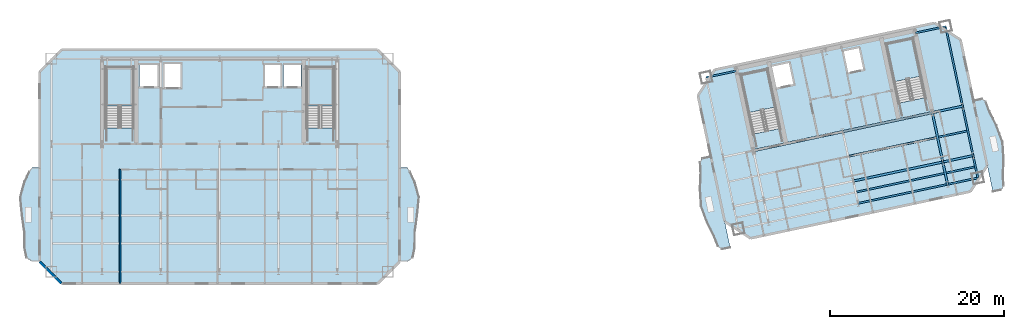
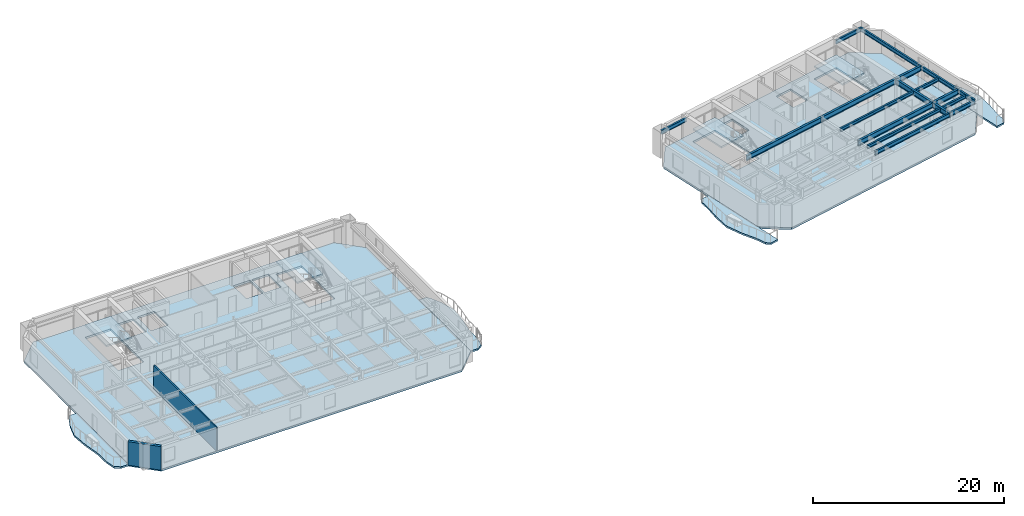
# One storey, part 4 of 13: 18 beams, 10 slabs, 2 walls, 4 elements without a shape of their own.
"""IFC4 building model written with IfcOpenShell, lengths in metres."""

import ifcopenshell
import ifcopenshell.guid

model = None  # the IFC model being written
_history = None  # IfcOwnerHistory: only IFC2X3 demands one
_inside = {}  # id of a spatial element -> (the spatial element, [elements in it])
_under = {}  # id of a project, library or spatial element -> (it, [spatial elements below it])
_declared = {}  # id of a project -> (the project, [libraries it declares])
_typed = {}  # id of a type object -> (the type object, [elements of that type])
_made_of = {}  # id of a material, layer set ... -> (it, [elements and type objects made of it])


def new_model(schema):
    """Start an empty IFC model of exactly this schema.

    Asked for "IFC4X3", IfcOpenShell would pick the latest addendum, in which some entities
    have other attributes; the version numbers below select the first issue.
    IFC2X3 requires an IfcOwnerHistory on every rooted entity: one is made here for all.
    """
    global model, _history
    if schema == "IFC4X3":
        model = ifcopenshell.file(schema_version=(4, 3, 0, 0))
    else:
        model = ifcopenshell.file(schema=schema)
    _inside.clear()
    _under.clear()
    _declared.clear()
    _typed.clear()
    _made_of.clear()
    _history = None
    if model.schema == "IFC2X3":
        org = make("IfcOrganization", Name="unknown")
        user = make(
            "IfcPersonAndOrganization",
            ThePerson=make("IfcPerson", FamilyName="unknown"),
            TheOrganization=org,
        )
        app = make(
            "IfcApplication",
            ApplicationDeveloper=org,
            Version="unknown",
            ApplicationFullName="unknown",
            ApplicationIdentifier="unknown",
        )
        _history = make(
            "IfcOwnerHistory",
            OwningUser=user,
            OwningApplication=app,
            ChangeAction="ADDED",
            CreationDate=0,
        )
    return model


def make(cls, **values):
    """One entity of the class cls with the attributes given. An attribute that is None is left unset."""
    return model.create_entity(
        cls, **{name: value for name, value in values.items() if value is not None}
    )


def rooted(cls, **values):
    """An entity with a GlobalId (a new one), such as an element, a storey or a relation."""
    return make(cls, GlobalId=ifcopenshell.guid.new(), OwnerHistory=_history, **values)


def si_unit(unit_type, name, prefix=None):
    """IfcSIUnit, for example si_unit("LENGTHUNIT", "METRE", prefix="MILLI")."""
    return make("IfcSIUnit", UnitType=unit_type, Prefix=prefix, Name=name)


def assignment(units):
    """IfcUnitAssignment: the units of a project."""
    return None if units is None else make("IfcUnitAssignment", Units=units)


def point(xyz):
    """IfcCartesianPoint."""
    return None if xyz is None else make("IfcCartesianPoint", Coordinates=xyz)


def direction(xyz):
    """IfcDirection."""
    return None if xyz is None else make("IfcDirection", DirectionRatios=xyz)


def frame(location, z_axis=None, x_axis=None):
    """IfcAxis2Placement3D, a coordinate frame: its origin and axes. An axis left out is left unset."""
    return make(
        "IfcAxis2Placement3D",
        Location=point(location),
        Axis=direction(z_axis),
        RefDirection=direction(x_axis),
    )


def frame_2d(location, x_axis=None):
    """IfcAxis2Placement2D, a coordinate frame in the plane: its origin and x axis."""
    return make(
        "IfcAxis2Placement2D", Location=point(location), RefDirection=direction(x_axis)
    )


def origin():
    """The frame at (0, 0, 0) with its axes left unset."""
    return frame((0.0, 0.0, 0.0))


def origin_2d():
    """The frame at (0, 0) in the plane with its x axis left unset."""
    return frame_2d((0.0, 0.0))


def place(relative_to, where):
    """IfcLocalPlacement: puts the frame where relative to a parent placement (None: the world)."""
    return make(
        "IfcLocalPlacement", PlacementRelTo=relative_to, RelativePlacement=where
    )


def context(
    kind, dimensions, precision=None, world=None, true_north=None, identifier=None
):
    """IfcGeometricRepresentationContext, for example the 3D "Model" context."""
    return make(
        "IfcGeometricRepresentationContext",
        ContextIdentifier=identifier,
        ContextType=kind,
        CoordinateSpaceDimension=dimensions,
        Precision=precision,
        WorldCoordinateSystem=world,
        TrueNorth=true_north,
    )


def subcontext(parent, identifier, kind, view, scale=None):
    """IfcGeometricRepresentationSubContext, for example "Body" below "Model"."""
    return make(
        "IfcGeometricRepresentationSubContext",
        ContextIdentifier=identifier,
        ContextType=kind,
        ParentContext=parent,
        TargetScale=scale,
        TargetView=view,
    )


def project(units=None, contexts=None):
    """IfcProject with its units and contexts."""
    return rooted(
        "IfcProject",
        Name="project",
        RepresentationContexts=contexts,
        UnitsInContext=assignment(units),
    )


def spatial(cls, under=None, at=None, **own):
    """A site, building, storey or space (cls), placed at a placement, below another one or the project."""
    s = rooted(cls, ObjectPlacement=at, **own)
    if under is not None:
        _under.setdefault(under.id(), (under, []))[1].append(s)
    return s


def polyline(points):
    """IfcPolyline through the points."""
    return make("IfcPolyline", Points=[point(p) for p in points])


def profile(cls, at=None, kind="AREA", **sizes):
    """A parametric profile (cls). Its sizes go by their IFC names, for example OverallWidth=200.0."""
    return make(cls, ProfileType=kind, Position=at, **sizes)


def rectangle(**sizes):
    """IfcRectangleProfileDef."""
    return profile("IfcRectangleProfileDef", **sizes)


def i_section(**sizes):
    """IfcIShapeProfileDef."""
    return profile("IfcIShapeProfileDef", **sizes)


def outline(outer, holes=None, kind="AREA"):
    """IfcArbitraryClosedProfileDef: a profile drawn as a closed curve; with holes, ...WithVoids."""
    if holes is None:
        return make("IfcArbitraryClosedProfileDef", ProfileType=kind, OuterCurve=outer)
    return make(
        "IfcArbitraryProfileDefWithVoids",
        ProfileType=kind,
        OuterCurve=outer,
        InnerCurves=holes,
    )


def extrude(swept, where, along, depth):
    """IfcExtrudedAreaSolid: the profile swept, set in the frame where, extruded along a direction by depth."""
    return make(
        "IfcExtrudedAreaSolid",
        SweptArea=swept,
        Position=where,
        ExtrudedDirection=direction(along),
        Depth=depth,
    )


def shape(context_of_items, identifier, shape_type, items):
    """IfcShapeRepresentation: the items that make up one representation, for example the "Body"."""
    return make(
        "IfcShapeRepresentation",
        ContextOfItems=context_of_items,
        RepresentationIdentifier=identifier,
        RepresentationType=shape_type,
        Items=items,
    )


def material(Name=None, Category=None):
    """IfcMaterial."""
    return make("IfcMaterial", Name=Name, Category=Category)


def layer(
    of_material, thickness, ventilated=None, Name=None, Category=None, Priority=None
):
    """IfcMaterialLayer: one layer of a wall or slab, of a material (None: an air gap)."""
    return make(
        "IfcMaterialLayer",
        Material=of_material,
        LayerThickness=thickness,
        IsVentilated=ventilated,
        Name=Name,
        Category=Category,
        Priority=Priority,
    )


def layer_set(layers, Name=None):
    """IfcMaterialLayerSet."""
    return make("IfcMaterialLayerSet", MaterialLayers=layers, LayerSetName=Name)


def material_profile(
    of_material, cross_section, Name=None, Category=None, Priority=None
):
    """IfcMaterialProfile: a cross section and its material."""
    return make(
        "IfcMaterialProfile",
        Name=Name,
        Material=of_material,
        Profile=cross_section,
        Priority=Priority,
        Category=Category,
    )


def profile_set(profiles, Name=None, composite=None):
    """IfcMaterialProfileSet."""
    return make(
        "IfcMaterialProfileSet",
        Name=Name,
        MaterialProfiles=profiles,
        CompositeProfile=composite,
    )


def made_of(thing, what):
    """Note that an element or type object is made of a material, layer set ...; save() writes the relation."""
    if what is not None:
        _made_of.setdefault(what.id(), (what, []))[1].append(thing)
    return thing


def type_object(cls, material=None, **own):
    """A type object (cls), such as IfcWallType, which elements share."""
    return made_of(rooted(cls, **own), material)


def element(
    cls,
    number,
    at=None,
    inside=None,
    cuts=None,
    type_object=None,
    material=None,
    context=None,
    identifier="Body",
    shape_type=None,
    held_by="IfcProductDefinitionShape",
    body=None,
    shapes=None,
    **own,
):
    """One element of the class cls, such as IfcWall. Its Tag is "e" and its number.

    at: its placement. inside: the storey or other place that contains it. cuts: it is an
    opening in that element (IfcRelVoidsElement). A single representation is given by context,
    identifier, shape_type and body (its items); several are given by shapes. held_by: the class
    of the entity that holds the representations. save() writes the other relations.
    """
    e = rooted(cls, Tag="e%d" % number, ObjectPlacement=at, **own)
    if body is not None:
        shapes = [shape(context, identifier, shape_type, body)]
    if shapes is not None:
        e.Representation = make(held_by, Representations=shapes)
    if inside is not None:
        _inside.setdefault(inside.id(), (inside, []))[1].append(e)
    if cuts is not None:
        rooted(
            "IfcRelVoidsElement", RelatingBuildingElement=cuts, RelatedOpeningElement=e
        )
    if type_object is not None:
        _typed.setdefault(type_object.id(), (type_object, []))[1].append(e)
    return made_of(e, material)


def aggregate(whole, parts):
    """IfcRelAggregates: a whole, such as a stair, and the parts it consists of."""
    return rooted("IfcRelAggregates", RelatingObject=whole, RelatedObjects=parts)


def save(model, path):
    """Write the relations noted so far, then the file.

    IfcRelAggregates (storeys below a building ...), IfcRelContainedInSpatialStructure (elements
    in a storey), IfcRelDefinesByType, IfcRelAssociatesMaterial and IfcRelDeclares: one each for
    every whole, place, type object, material and project.
    """
    for whole, parts in _under.values():
        aggregate(whole, parts)
    for where, things in _inside.values():
        rooted(
            "IfcRelContainedInSpatialStructure",
            RelatedElements=things,
            RelatingStructure=where,
        )
    for kind, things in _typed.values():
        rooted("IfcRelDefinesByType", RelatedObjects=things, RelatingType=kind)
    for what, things in _made_of.values():
        rooted("IfcRelAssociatesMaterial", RelatedObjects=things, RelatingMaterial=what)
    for by, libraries in _declared.values():
        rooted("IfcRelDeclares", RelatingContext=by, RelatedDefinitions=libraries)
    model.write(path)


model = new_model("IFC4")

# Units and contexts
model_context = context("Model", 3, precision=1e-05, world=origin(), true_north=direction((0.0, 1.0)))
body_context = subcontext(model_context, "Body", "Model", "MODEL_VIEW")
ifc_project = project(units=[si_unit("LENGTHUNIT", "METRE"), si_unit("AREAUNIT", "SQUARE_METRE"), si_unit("VOLUMEUNIT", "CUBIC_METRE"), si_unit("PLANEANGLEUNIT", "RADIAN"), si_unit("MASSUNIT", "GRAM", prefix="KILO")], contexts=[model_context])

# Site, building, storey
site_placement = place(None, origin())
site = spatial("IfcSite", under=ifc_project, at=site_placement, CompositionType="ELEMENT")
building_placement = place(site_placement, origin())
building = spatial("IfcBuilding", under=site, at=building_placement, Name="Haevon Station Towers", CompositionType="ELEMENT")
storey_placement = place(building_placement, frame((0.0, 0.0, 189.0)))
storey = spatial("IfcBuildingStorey", under=building, at=storey_placement, Name="L52", CompositionType="ELEMENT", Elevation=189.0)

# Beams
ifc_material_1 = material(Name="Steel S355", Category="steel")
ifc_material_profile_1 = material_profile(ifc_material_1, i_section(OverallWidth=0.25, OverallDepth=0.64990234375, WebThickness=0.012939453125, FlangeThickness=0.02197265625, at=origin_2d()), Name="H-650x250x13x22")
ifc_profile_set_1 = profile_set([ifc_material_profile_1], Name="Steel S355")
beam_type_1 = type_object("IfcBeamType", Name="BM-G650", PredefinedType="BEAM", material=ifc_profile_set_1)
beam_1_placement = place(storey_placement, frame((110.228759765625, 33.9521484375, 2.695068359375), z_axis=(0.978146794194, 0.207915485254, 0.0), x_axis=(-0.207915485254, 0.978146794194, 0.0)))
element("IfcBeam", 1, at=beam_1_placement, inside=storey, type_object=beam_type_1, Name="BM-T2U-L52-02-03", PredefinedType="BEAM", context=body_context, shape_type="SweptSolid", body=[
    extrude(i_section(OverallWidth=0.25, OverallDepth=0.64990234375, WebThickness=0.012939453125, FlangeThickness=0.02197265625, at=origin_2d()), origin(), (0.0, 0.0, 1.0), 10.5),
])
beam_2_placement = place(storey_placement, frame((120.499267578125, 36.13525390625, 2.695068359375), z_axis=(0.978150285663, 0.207899058817, 0.0), x_axis=(-0.207899058817, 0.978150285663, 0.0)))
element("IfcBeam", 2, at=beam_2_placement, inside=storey, type_object=beam_type_1, Name="BM-T2U-L52-02-04", PredefinedType="BEAM", context=body_context, shape_type="SweptSolid", body=[
    extrude(i_section(OverallWidth=0.25, OverallDepth=0.64990234375, WebThickness=0.012939453125, FlangeThickness=0.02197265625, at=origin_2d()), origin(), (0.0, 0.0, 1.0), 3.550048828125),
])
for number, where, z_axis, x_axis, name in (
    (3, (98.75244140625, 37.4423828125, 2.695068359375), (0.978146794194, 0.207915485254, 0.0), (-0.207915485254, 0.978146794194, 0.0), "BM-T2U-L52-03-02"),
    (4, (109.02294921875, 39.62548828125, 2.695068359375), (0.978146794194, 0.207915485254, 0.0), (-0.207915485254, 0.978146794194, 0.0), "BM-T2U-L52-03-03"),
):
    element("IfcBeam", number, at=place(storey_placement, frame(where, z_axis=z_axis, x_axis=x_axis)), inside=storey, type_object=beam_type_1, Name=name, PredefinedType="BEAM", context=body_context, shape_type="SweptSolid", body=[
        extrude(i_section(OverallWidth=0.25, OverallDepth=0.64990234375, WebThickness=0.012939453125, FlangeThickness=0.02197265625, at=origin_2d()), origin(), (0.0, 0.0, 1.0), 10.5),
    ])
beam_3_placement = place(storey_placement, frame((119.29345703125, 41.80859375, 2.695068359375), z_axis=(0.978150285663, 0.207899058817, 0.0), x_axis=(-0.207899058817, 0.978150285663, 0.0)))
element("IfcBeam", 5, at=beam_3_placement, inside=storey, type_object=beam_type_1, Name="BM-T2U-L52-03-04", PredefinedType="BEAM", context=body_context, shape_type="SweptSolid", body=[
    extrude(i_section(OverallWidth=0.25, OverallDepth=0.64990234375, WebThickness=0.012939453125, FlangeThickness=0.02197265625, at=origin_2d()), origin(), (0.0, 0.0, 1.0), 3.550048828125),
])
beam_4_placement = place(storey_placement, frame((121.0439453125, 33.572509765625, 2.695068359375), z_axis=(-0.207893304367, 0.978151508714, 0.0), x_axis=(-0.978151508714, -0.207893304367, 0.0)))
element("IfcBeam", 6, at=beam_4_placement, inside=storey, type_object=beam_type_1, Name="BM-T2V-L52-04-01", PredefinedType="BEAM", context=body_context, shape_type="SweptSolid", body=[
    extrude(i_section(OverallWidth=0.25, OverallDepth=0.64990234375, WebThickness=0.012939453125, FlangeThickness=0.02197265625, at=origin_2d()), origin(), (0.0, 0.0, 1.0), 2.619873046875),
])
beam_5_placement = place(storey_placement, frame((120.499267578125, 36.13525390625, 2.695068359375), z_axis=(-0.207896009217, 0.97815093383, 0.0), x_axis=(-0.97815093383, -0.207896009217, 0.0)))
element("IfcBeam", 7, at=beam_5_placement, inside=storey, type_object=beam_type_1, Name="BM-T2V-L52-04-02", PredefinedType="BEAM", context=body_context, shape_type="SweptSolid", body=[
    extrude(i_section(OverallWidth=0.25, OverallDepth=0.64990234375, WebThickness=0.012939453125, FlangeThickness=0.02197265625, at=origin_2d()), origin(), (0.0, 0.0, 1.0), 5.800048828125),
])
ifc_material_profile_2 = material_profile(ifc_material_1, i_section(OverallWidth=0.199951171875, OverallDepth=0.39990234375, WebThickness=0.008056640625, FlangeThickness=0.012939453125, at=origin_2d()), Name="H-400x200x8x13")
ifc_profile_set_2 = profile_set([ifc_material_profile_2], Name="Steel S355")
beam_type_2 = type_object("IfcBeamType", Name="BM-J400", PredefinedType="JOIST", material=ifc_profile_set_2)
beam_6_placement = place(storey_placement, frame((110.608642578125, 32.693603515625, 2.820068359375), z_axis=(0.978145509903, 0.207921527161, 0.0), x_axis=(-0.207921527161, 0.978145509903, 0.0)))
element("IfcBeam", 8, at=beam_6_placement, inside=storey, type_object=beam_type_2, Name="BM-T2J-L52-01-03", PredefinedType="JOIST", context=body_context, shape_type="SweptSolid", body=[
    extrude(i_section(OverallWidth=0.199951171875, OverallDepth=0.39990234375, WebThickness=0.008056640625, FlangeThickness=0.012939453125, at=origin_2d()), origin(), (0.0, 0.0, 1.0), 10.280029296875),
])
beam_7_placement = place(storey_placement, frame((120.87939453125, 34.876708984375, 2.820068359375), z_axis=(0.978143382141, 0.207931536748, 0.0), x_axis=(-0.207931536748, 0.978143382141, 0.0)))
element("IfcBeam", 9, at=beam_7_placement, inside=storey, type_object=beam_type_2, Name="BM-T2J-L52-01-04", PredefinedType="JOIST", context=body_context, shape_type="SweptSolid", body=[
    extrude(i_section(OverallWidth=0.199951171875, OverallDepth=0.39990234375, WebThickness=0.008056640625, FlangeThickness=0.012939453125, at=origin_2d()), origin(), (0.0, 0.0, 1.0), 3.329833984375),
])
beam_8_placement = place(storey_placement, frame((109.7333984375, 36.811767578125, 2.820068359375), z_axis=(0.978150339653, 0.207898804801, 0.0), x_axis=(-0.207898804801, 0.978150339653, 0.0)))
element("IfcBeam", 10, at=beam_8_placement, inside=storey, type_object=beam_type_2, Name="BM-T2J-L52-02-03", PredefinedType="JOIST", context=body_context, shape_type="SweptSolid", body=[
    extrude(i_section(OverallWidth=0.199951171875, OverallDepth=0.39990234375, WebThickness=0.008056640625, FlangeThickness=0.012939453125, at=origin_2d()), origin(), (0.0, 0.0, 1.0), 10.280029296875),
])
beam_9_placement = place(storey_placement, frame((120.00390625, 38.994873046875, 2.820068359375), z_axis=(0.978146551768, 0.207916625754, 0.0), x_axis=(-0.207916625754, 0.978146551768, 0.0)))
element("IfcBeam", 11, at=beam_9_placement, inside=storey, type_object=beam_type_2, Name="BM-T2J-L52-02-04", PredefinedType="JOIST", context=body_context, shape_type="SweptSolid", body=[
    extrude(i_section(OverallWidth=0.199951171875, OverallDepth=0.39990234375, WebThickness=0.008056640625, FlangeThickness=0.012939453125, at=origin_2d()), origin(), (0.0, 0.0, 1.0), 3.330078125),
])
ifc_material_profile_3 = material_profile(ifc_material_1, i_section(OverallWidth=0.199951171875, OverallDepth=0.5, WebThickness=0.010009765625, FlangeThickness=0.01611328125, at=origin_2d()), Name="H-500x200x10x16")
ifc_profile_set_3 = profile_set([ifc_material_profile_3], Name="Steel S355")
beam_type_3 = type_object("IfcBeamType", Name="BM-SP500", PredefinedType="SPANDREL", material=ifc_profile_set_3)
beam_10_placement = place(storey_placement, frame((110.7734375, 31.389404296875, 2.77001953125), z_axis=(0.978146794194, 0.207915485254, 0.0), x_axis=(-0.207915485254, 0.978146794194, 0.0)))
element("IfcBeam", 12, at=beam_10_placement, inside=storey, type_object=beam_type_3, Name="BM-T2U-L52-01-03", PredefinedType="SPANDREL", context=body_context, shape_type="SweptSolid", body=[
    extrude(i_section(OverallWidth=0.199951171875, OverallDepth=0.5, WebThickness=0.010009765625, FlangeThickness=0.01611328125, at=origin_2d()), origin(), (0.0, 0.0, 1.0), 10.5),
])
beam_11_placement = place(storey_placement, frame((121.0439453125, 33.572509765625, 2.77001953125), z_axis=(0.978153257847, 0.207885074414, 0.0), x_axis=(-0.207885074414, 0.978153257847, 0.0)))
element("IfcBeam", 13, at=beam_11_placement, inside=storey, type_object=beam_type_3, Name="BM-T2U-L52-01-04", PredefinedType="SPANDREL", context=body_context, shape_type="SweptSolid", body=[
    extrude(i_section(OverallWidth=0.199951171875, OverallDepth=0.5, WebThickness=0.010009765625, FlangeThickness=0.01611328125, at=origin_2d()), origin(), (0.0, 0.0, 1.0), 3.55029296875),
])
beam_12_placement = place(storey_placement, frame((93.3359375, 45.85009765625, 2.77001953125), z_axis=(0.978150285663, 0.207899058817, 0.0), x_axis=(-0.207899058817, 0.978150285663, 0.0)))
element("IfcBeam", 14, at=beam_12_placement, inside=storey, type_object=beam_type_3, Name="BM-T2U-L52-04-01", PredefinedType="SPANDREL", context=body_context, shape_type="SweptSolid", body=[
    extrude(i_section(OverallWidth=0.199951171875, OverallDepth=0.5, WebThickness=0.010009765625, FlangeThickness=0.01611328125, at=origin_2d()), origin(), (0.0, 0.0, 1.0), 3.550048828125),
])
beam_13_placement = place(storey_placement, frame((117.349365234375, 50.954345703125, 2.77001953125), z_axis=(0.978153257847, 0.207885074414, 0.0), x_axis=(-0.207885074414, 0.978153257847, 0.0)))
element("IfcBeam", 15, at=beam_13_placement, inside=storey, type_object=beam_type_3, Name="BM-T2U-L52-04-04", PredefinedType="SPANDREL", context=body_context, shape_type="SweptSolid", body=[
    extrude(i_section(OverallWidth=0.199951171875, OverallDepth=0.5, WebThickness=0.010009765625, FlangeThickness=0.01611328125, at=origin_2d()), origin(), (0.0, 0.0, 1.0), 3.55029296875),
])
beam_14_placement = place(storey_placement, frame((124.5166015625, 34.310546875, 2.77001953125), z_axis=(-0.207982458313, 0.978132555963, 0.0), x_axis=(-0.978132555963, -0.207982458313, 0.0)))
element("IfcBeam", 16, at=beam_14_placement, inside=storey, type_object=beam_type_3, Name="BM-T2V-L52-05-01", PredefinedType="SPANDREL", context=body_context, shape_type="SweptSolid", body=[
    extrude(i_section(OverallWidth=0.199951171875, OverallDepth=0.5, WebThickness=0.010009765625, FlangeThickness=0.01611328125, at=origin_2d()), origin(), (0.0, 0.0, 1.0), 2.6201171875),
])
beam_15_placement = place(storey_placement, frame((123.9716796875, 36.873291015625, 2.77001953125), z_axis=(-0.207896009217, 0.97815093383, 0.0), x_axis=(-0.97815093383, -0.207896009217, 0.0)))
element("IfcBeam", 17, at=beam_15_placement, inside=storey, type_object=beam_type_3, Name="BM-T2V-L52-05-02", PredefinedType="SPANDREL", context=body_context, shape_type="SweptSolid", body=[
    extrude(i_section(OverallWidth=0.199951171875, OverallDepth=0.5, WebThickness=0.010009765625, FlangeThickness=0.01611328125, at=origin_2d()), origin(), (0.0, 0.0, 1.0), 5.800048828125),
])
beam_16_placement = place(storey_placement, frame((122.765869140625, 42.546630859375, 2.77001953125), z_axis=(-0.207897167074, 0.978150687738, 0.0), x_axis=(-0.978150687738, -0.207897167074, 0.0)))
element("IfcBeam", 18, at=beam_16_placement, inside=storey, type_object=beam_type_3, Name="BM-T2V-L52-05-03", PredefinedType="SPANDREL", context=body_context, shape_type="SweptSolid", body=[
    extrude(i_section(OverallWidth=0.199951171875, OverallDepth=0.5, WebThickness=0.010009765625, FlangeThickness=0.01611328125, at=origin_2d()), origin(), (0.0, 0.0, 1.0), 9.35009765625),
])

# Slabs
ifc_material_2 = material(Name="Concrete C40/50", Category="concrete")
ifc_layer_1 = layer(ifc_material_2, 0.219970703125)
ifc_layer_set_1 = layer_set([ifc_layer_1], Name="Concrete C40/50")
slab_type_1 = type_object("IfcSlabType", Name="SL-BALC220", PredefinedType="FLOOR", material=ifc_layer_set_1)
slab_1_placement = place(storey_placement, frame((0.0, 0.0, -0.219970703125)))
element("IfcSlab", 19, at=slab_1_placement, inside=storey, type_object=slab_type_1, Name="Tower 1 L52 West SCALLOPED BALCONY", PredefinedType="FLOOR", context=body_context, shape_type="SweptSolid", body=[
    extrude(outline(polyline([(16.844970703125, 35.5), (15.962890625, 35.5), (15.65966796875, 35.0888671875), (15.101806640625, 33.91845703125), (14.59521484375, 32.16650390625), (14.7451171875, 30.10009765625), (15.080322265625, 28.033447265625), (15.101806640625, 26.28173828125), (15.333984375, 25.111083984375), (15.962890625, 24.699951171875), (16.844970703125, 24.699951171875), (16.844970703125, 35.5)])), origin(), (0.0, 0.0, 1.0), 0.219970703125),
])
slab_2_placement = place(storey_placement, frame((0.0, 0.0, -0.219970703125)))
element("IfcSlab", 20, at=slab_2_placement, inside=storey, type_object=slab_type_1, Name="Tower 1 L52 East SCALLOPED BALCONY", PredefinedType="FLOOR", context=body_context, shape_type="SweptSolid", body=[
    extrude(outline(polyline([(58.155029296875, 24.699951171875), (59.037109375, 24.699951171875), (59.666015625, 25.111083984375), (59.898193359375, 26.28173828125), (59.919677734375, 28.033447265625), (60.2548828125, 30.10009765625), (60.40478515625, 32.16650390625), (59.898193359375, 33.91845703125), (59.34033203125, 35.0888671875), (59.037109375, 35.5), (58.155029296875, 35.5), (58.155029296875, 24.699951171875)])), origin(), (0.0, 0.0, 1.0), 0.219970703125),
])
slab_3_placement = place(storey_placement, frame((0.0, 0.0, -0.219970703125)))
element("IfcSlab", 21, at=slab_3_placement, inside=storey, type_object=slab_type_1, Name="Tower 2 L52 West SCALLOPED BALCONY", PredefinedType="FLOOR", context=body_context, shape_type="SweptSolid", body=[
    extrude(outline(polyline([(93.8681640625, 36.82861328125), (92.9013671875, 36.623046875), (92.635009765625, 36.146240234375), (92.697998046875, 34.962890625), (92.597900390625, 33.150634765625), (92.688720703125, 31.05712890625), (93.457275390625, 29.10791015625), (94.28564453125, 27.492919921875), (94.70947265625, 26.38623046875), (95.146728515625, 26.05908203125), (96.11376953125, 26.2646484375), (93.8681640625, 36.82861328125)])), origin(), (0.0, 0.0, 1.0), 0.219970703125),
])
slab_4_placement = place(storey_placement, frame((0.0, 0.0, -0.219970703125)))
element("IfcSlab", 22, at=slab_4_placement, inside=storey, type_object=slab_type_1, Name="Tower 2 L52 East SCALLOPED BALCONY", PredefinedType="FLOOR", context=body_context, shape_type="SweptSolid", body=[
    extrude(outline(polyline([(126.25048828125, 32.67041015625), (127.21728515625, 32.875732421875), (127.483642578125, 33.3525390625), (127.420654296875, 34.535888671875), (127.520751953125, 36.348388671875), (127.429931640625, 38.441650390625), (126.661376953125, 40.390869140625), (125.8330078125, 42.005859375), (125.4091796875, 43.112548828125), (124.971923828125, 43.43994140625), (124.0048828125, 43.234375), (126.25048828125, 32.67041015625)])), origin(), (0.0, 0.0, 1.0), 0.219970703125),
])

# Stair, slab
stair_type = type_object("IfcStairType", Name="STR-DL1450", PredefinedType="USERDEFINED", material=ifc_material_2)
stair_1_placement = place(storey_placement, origin())
stair_1 = element("IfcStair", 23, at=stair_1_placement, inside=storey, type_object=stair_type, Name="L52 Escape Stair ST1", ObjectType="TWO_RETURN_STAIR", PredefinedType="USERDEFINED")
ifc_layer_2 = layer(ifc_material_2, 0.199951171875)
ifc_layer_set_2 = layer_set([ifc_layer_2], Name="Concrete C40/50")
slab_type_2 = type_object("IfcSlabType", Name="SL-LND200", PredefinedType="LANDING", material=ifc_layer_set_2)
slab_5_placement = place(storey_placement, frame((0.0, 0.0, 1.449951171875)))
slab_5 = element("IfcSlab", 24, at=slab_5_placement, type_object=slab_type_2, Name="L52 ST1 Half Landing 1", PredefinedType="LANDING", context=body_context, shape_type="SweptSolid", body=[
    extrude(outline(polyline([(27.580078125, 42.56396484375), (27.580078125, 47.0), (24.47998046875, 47.0), (24.47998046875, 42.56396484375), (27.580078125, 42.56396484375)])), origin(), (0.0, 0.0, 1.0), 0.199951171875),
])
aggregate(stair_1, [slab_5])

stair_2_placement = place(storey_placement, origin())
stair_2 = element("IfcStair", 25, at=stair_2_placement, inside=storey, type_object=stair_type, Name="L52 Escape Stair ST2", ObjectType="TWO_RETURN_STAIR", PredefinedType="USERDEFINED")
slab_6_placement = place(storey_placement, frame((0.0, 0.0, 1.449951171875)))
slab_6 = element("IfcSlab", 26, at=slab_6_placement, type_object=slab_type_2, Name="L52 ST2 Half Landing 1", PredefinedType="LANDING", context=body_context, shape_type="SweptSolid", body=[
    extrude(outline(polyline([(50.6201171875, 42.56396484375), (50.6201171875, 47.0), (47.52001953125, 47.0), (47.52001953125, 42.56396484375), (50.6201171875, 42.56396484375)])), origin(), (0.0, 0.0, 1.0), 0.199951171875),
])
aggregate(stair_2, [slab_6])

stair_3_placement = place(storey_placement, origin())
stair_3 = element("IfcStair", 27, at=stair_3_placement, inside=storey, type_object=stair_type, Name="L52 Escape Stair ST3", ObjectType="TWO_RETURN_STAIR", PredefinedType="USERDEFINED")
slab_7_placement = place(storey_placement, frame((0.0, 0.0, 1.449951171875)))
slab_7 = element("IfcSlab", 28, at=slab_7_placement, type_object=slab_type_2, Name="L52 ST3 Half Landing 1", PredefinedType="LANDING", context=body_context, shape_type="SweptSolid", body=[
    extrude(outline(polyline([(101.2880859375, 42.44287109375), (100.36572265625, 46.781982421875), (97.33349609375, 46.137451171875), (98.255859375, 41.79833984375), (101.2880859375, 42.44287109375)])), origin(), (0.0, 0.0, 1.0), 0.199951171875),
])
aggregate(stair_3, [slab_7])

stair_4_placement = place(storey_placement, origin())
stair_4 = element("IfcStair", 29, at=stair_4_placement, inside=storey, type_object=stair_type, Name="L52 Escape Stair ST4", ObjectType="TWO_RETURN_STAIR", PredefinedType="USERDEFINED")
slab_8_placement = place(storey_placement, frame((0.0, 0.0, 1.449951171875)))
slab_8 = element("IfcSlab", 30, at=slab_8_placement, type_object=slab_type_2, Name="L52 ST4 Half Landing 1", PredefinedType="LANDING", context=body_context, shape_type="SweptSolid", body=[
    extrude(outline(polyline([(117.975341796875, 45.989990234375), (117.052978515625, 50.328857421875), (114.020751953125, 49.684326171875), (114.943115234375, 45.345458984375), (117.975341796875, 45.989990234375)])), origin(), (0.0, 0.0, 1.0), 0.199951171875),
])
aggregate(stair_4, [slab_8])

# Slabs
ifc_layer_3 = layer(ifc_material_2, 0.25)
ifc_layer_set_3 = layer_set([ifc_layer_3], Name="Concrete C40/50")
slab_type_3 = type_object("IfcSlabType", Name="SL-TW250", PredefinedType="FLOOR", material=ifc_layer_set_3)
slab_9_placement = place(storey_placement, frame((0.0, 0.0, -0.25)))
element("IfcSlab", 31, at=slab_9_placement, inside=storey, type_object=slab_type_3, Name="SL-T1-L52", PredefinedType="FLOOR", context=body_context, shape_type="SweptSolid", body=[
    extrude(outline(polyline([(19.35009765625, 22.199951171875), (55.64990234375, 22.199951171875), (58.14990234375, 24.699951171875), (58.14990234375, 46.5), (55.64990234375, 49.0), (19.35009765625, 49.0), (16.85009765625, 46.5), (16.85009765625, 24.699951171875), (19.35009765625, 22.199951171875)]), holes=[polyline([(27.580078125, 40.055908203125), (27.580078125, 47.0), (24.47998046875, 47.0), (24.47998046875, 40.055908203125), (27.580078125, 40.055908203125)]), polyline([(50.6201171875, 40.055908203125), (50.6201171875, 47.0), (47.52001953125, 47.0), (47.52001953125, 40.055908203125), (50.6201171875, 40.055908203125)]), polyline([(28.300048828125, 44.699951171875), (30.5, 44.699951171875), (30.5, 47.39990234375), (28.300048828125, 47.39990234375), (28.300048828125, 44.699951171875)]), polyline([(31.050048828125, 44.60009765625), (33.14990234375, 44.60009765625), (33.14990234375, 47.5), (31.050048828125, 47.5), (31.050048828125, 44.60009765625)]), polyline([(42.60009765625, 44.699951171875), (44.60009765625, 44.699951171875), (44.60009765625, 47.39990234375), (42.60009765625, 47.39990234375), (42.60009765625, 44.699951171875)]), polyline([(44.85009765625, 44.699951171875), (46.85009765625, 44.699951171875), (46.85009765625, 47.39990234375), (44.85009765625, 47.39990234375), (44.85009765625, 44.699951171875)])]), origin(), (0.0, 0.0, 1.0), 0.25),
])
slab_10_placement = place(storey_placement, frame((0.0, 0.0, -0.25)))
element("IfcSlab", 32, at=slab_10_placement, inside=storey, type_object=slab_type_3, Name="SL-T2-L52", PredefinedType="FLOOR", context=body_context, shape_type="SweptSolid", body=[
    extrude(outline(polyline([(98.43603515625, 27.386962890625), (123.67236328125, 32.7509765625), (125.597900390625, 35.71630859375), (122.527099609375, 50.163330078125), (119.561767578125, 52.089111328125), (94.32568359375, 46.724853515625), (92.400146484375, 43.759765625), (95.470947265625, 29.3125), (98.43603515625, 27.386962890625)]), holes=[polyline([(101.8095703125, 39.98974609375), (100.36572265625, 46.781982421875), (97.33349609375, 46.137451171875), (98.77734375, 39.34521484375), (101.8095703125, 39.98974609375)]), polyline([(118.496826171875, 43.53662109375), (117.052978515625, 50.328857421875), (114.020751953125, 49.684326171875), (115.464599609375, 42.89208984375), (118.496826171875, 43.53662109375)]), polyline([(101.43212890625, 44.554931640625), (103.486328125, 44.99169921875), (102.9248046875, 47.632568359375), (100.870849609375, 47.196044921875), (101.43212890625, 44.554931640625)]), polyline([(109.55078125, 46.28076171875), (111.507080078125, 46.696533203125), (110.94580078125, 49.33740234375), (108.989501953125, 48.921630859375), (109.55078125, 46.28076171875)])]), origin(), (0.0, 0.0, 1.0), 0.25),
])

# Walls
ifc_material_3 = material(Name="Precast concrete C45/55", Category="concrete")
ifc_layer_4 = layer(ifc_material_3, 0.300048828125)
ifc_layer_set_4 = layer_set([ifc_layer_4], Name="Precast concrete C45/55")
wall_type_1 = type_object("IfcWallType", Name="WL-EXT-PIER300", PredefinedType="SOLIDWALL", material=ifc_layer_set_4)
wall_1_placement = place(storey_placement, frame((19.35009765625, 22.199951171875, 0.0), z_axis=(0.0, 0.0, 1.0), x_axis=(-0.707106781187, 0.707106781187, 0.0)))
element("IfcWall", 33, at=wall_1_placement, inside=storey, type_object=wall_type_1, Name="WL-T1-L52-SWC", PredefinedType="SOLIDWALL", context=body_context, shape_type="SweptSolid", body=[
    extrude(rectangle(XDim=3.53564453125, YDim=0.300048828125, at=frame_2d((1.767822265625, 0.0))), origin(), (0.0, 0.0, 1.0), 3.0),
])
ifc_material_4 = material(Name="Gypsum board on steel stud", Category="steel")
ifc_layer_5 = layer(ifc_material_4, 0.159912109375)
ifc_layer_set_5 = layer_set([ifc_layer_5], Name="Gypsum board on steel stud")
wall_type_2 = type_object("IfcWallType", Name="WL-PRT160", PredefinedType="PARTITIONING", material=ifc_layer_set_5)
wall_2_placement = place(storey_placement, frame((26.080078125, 22.199951171875, 0.0), z_axis=(0.0, 0.0, 1.0), x_axis=(0.0, 1.0, 0.0)))
element("IfcWall", 34, at=wall_2_placement, inside=storey, type_object=wall_type_2, Name="WL-T1PT-L52-01", PredefinedType="PARTITIONING", context=body_context, shape_type="SweptSolid", body=[
    extrude(rectangle(XDim=13.080078125, YDim=0.159912109375, at=frame_2d((6.5400390625, 0.0))), origin(), (0.0, 0.0, 1.0), 3.0),
])

save(model, "model.ifc")
